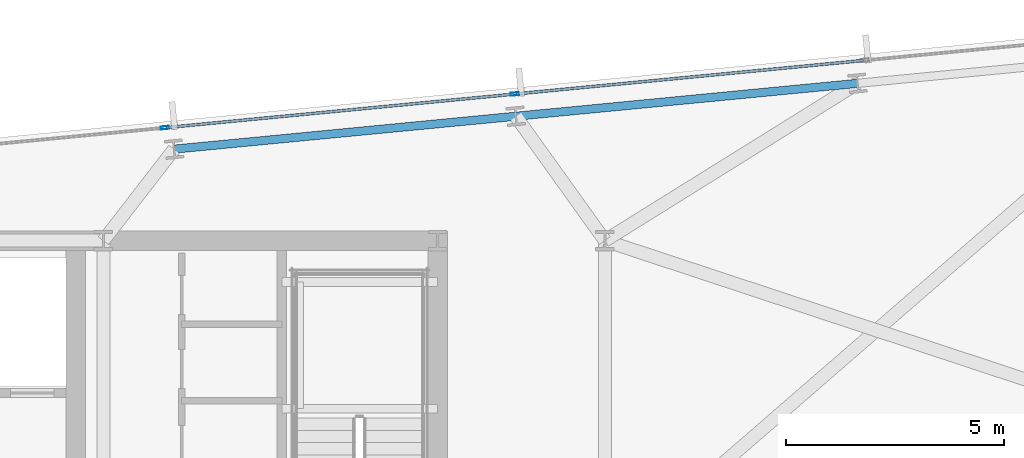
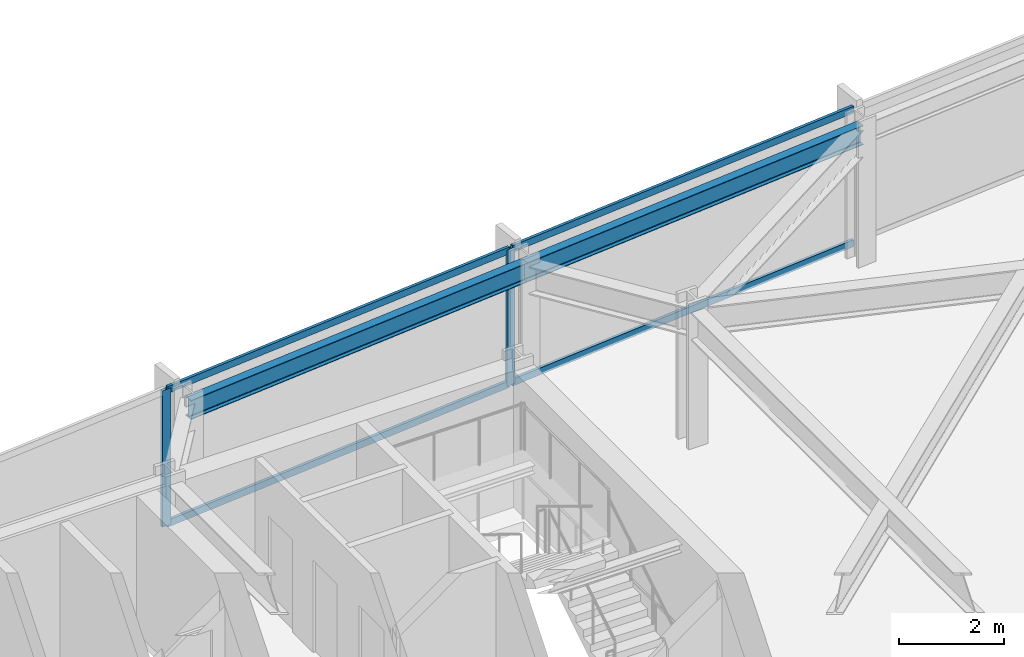
# One storey, part 21 of 33: 6 members, 2 beams, 1 element without a shape of its own.
"""IFC4 building model written with IfcOpenShell, lengths in metres."""

from ifc_helpers import new_model, si_unit, direction, frame, origin, origin_2d, place, context, subcontext, project, spatial, hollow_rectangle, i_section, extrude, material, material_profile, profile_set, type_object, element, aggregate, save


model = new_model("IFC4")

# Units and contexts
model_context = context("Model", 3, precision=1e-05, world=origin(), true_north=direction((0.0, 1.0)))
body_context = subcontext(model_context, "Body", "Model", "MODEL_VIEW")
ifc_project = project(units=[si_unit("LENGTHUNIT", "METRE"), si_unit("AREAUNIT", "SQUARE_METRE"), si_unit("VOLUMEUNIT", "CUBIC_METRE"), si_unit("PLANEANGLEUNIT", "RADIAN"), si_unit("MASSUNIT", "GRAM", prefix="KILO")], contexts=[model_context])

# Site, building, storey
site_placement = place(None, origin())
site = spatial("IfcSite", under=ifc_project, at=site_placement, CompositionType="ELEMENT")
building_placement = place(site_placement, origin())
building = spatial("IfcBuilding", under=site, at=building_placement, Name="Yelkora Congress Tower", CompositionType="ELEMENT")
storey_placement = place(building_placement, frame((0.0, 0.0, 123.699951171875)))
storey = spatial("IfcBuildingStorey", under=building, at=storey_placement, Name="L33", CompositionType="ELEMENT", Elevation=123.699951171875)

# Beams
ifc_material_1 = material(Name="Steel S355J2", Category="steel")
ifc_material_profile_1 = material_profile(ifc_material_1, i_section(OverallWidth=0.18994140625, OverallDepth=0.449951171875, WebThickness=0.009521484375, FlangeThickness=0.0146484375, FilletRadius=0.02099609375, at=origin_2d()), Name="IPE 450")
ifc_profile_set_1 = profile_set([ifc_material_profile_1], Name="Steel S355J2")
beam_type = type_object("IfcBeamType", Name="BM-SPAN-IPE450", PredefinedType="SPANDREL", material=ifc_profile_set_1)
for number, where, z_axis, x_axis, name in (
    (1, (63.4033203125, 49.81201171875, 2.955078125), (-0.995398529126, -0.09582154358, 0.0), (0.09582154358, -0.995398529126, 0.0), "L33 Perimeter Beam 15"),
    (2, (55.553955078125, 49.056396484375, 2.955078125), (-0.995395575667, -0.095852219286, 0.0), (0.095852219286, -0.995395575667, 0.0), "L33 Perimeter Beam 16"),
):
    element("IfcBeam", number, at=place(storey_placement, frame(where, z_axis=z_axis, x_axis=x_axis)), inside=storey, type_object=beam_type, Name=name, PredefinedType="SPANDREL", context=body_context, shape_type="SweptSolid", body=[
        extrude(i_section(OverallWidth=0.18994140625, OverallDepth=0.449951171875, WebThickness=0.009521484375, FlangeThickness=0.0146484375, FilletRadius=0.02099609375, at=origin_2d()), origin(), (0.0, 0.0, 1.0), 7.8857421875),
    ])

# Curtain wall, members
ifc_material_2 = material(Name="Anodised aluminium and insulated glass", Category="aluminium")
curtain_wall_type = type_object("IfcCurtainWallType", Name="CW-SYS-B2", PredefinedType="NOTDEFINED", material=ifc_material_2)
curtain_wall_placement = place(storey_placement, origin())
curtain_wall = element("IfcCurtainWall", 3, at=curtain_wall_placement, inside=storey, type_object=curtain_wall_type, Name="L33 Unitised Curtain Wall 10 (3)", PredefinedType="NOTDEFINED")
ifc_material_3 = material(Name="Anodised aluminium 6063-T6", Category="aluminium")
ifc_material_profile_2 = material_profile(ifc_material_3, hollow_rectangle(XDim=0.070068359375, YDim=0.18994140625, WallThickness=0.00390625, at=origin_2d()), Name="ALU 70x190x4")
ifc_profile_set_2 = profile_set([ifc_material_profile_2], Name="Anodised aluminium 6063-T6")
member_type_1 = type_object("IfcMemberType", Name="MEM-ML-B2", PredefinedType="MULLION", material=ifc_profile_set_2)
member_1_placement = place(storey_placement, frame((47.491943359375, 48.79248046875, 0.0), z_axis=(0.0, 0.0, 1.0), x_axis=(-0.095844238468, 0.995396344153, 0.0)))
member_1 = element("IfcMember", 4, at=member_1_placement, type_object=member_type_1, Name="CW-B2 mullion 4", PredefinedType="MULLION", context=body_context, shape_type="SweptSolid", body=[
    extrude(hollow_rectangle(XDim=0.070068359375, YDim=0.18994140625, WallThickness=0.00390625, at=origin_2d()), origin(), (0.0, 0.0, 1.0), 3.179931640625),
])
member_2_placement = place(storey_placement, frame((55.531982421875, 49.566650390625, 0.0), z_axis=(0.0, 0.0, 1.0), x_axis=(-0.095844238468, 0.995396344153, 0.0)))
member_2 = element("IfcMember", 5, at=member_2_placement, type_object=member_type_1, Name="CW-B2 mullion 5", PredefinedType="MULLION", context=body_context, shape_type="SweptSolid", body=[
    extrude(hollow_rectangle(XDim=0.070068359375, YDim=0.18994140625, WallThickness=0.00390625, at=origin_2d()), origin(), (0.0, 0.0, 1.0), 3.179931640625),
])
ifc_material_profile_3 = material_profile(ifc_material_3, hollow_rectangle(XDim=0.06494140625, YDim=0.159912109375, WallThickness=0.00390625, at=origin_2d()), Name="ALU 65x160x4")
ifc_profile_set_3 = profile_set([ifc_material_profile_3], Name="Anodised aluminium 6063-T6")
member_type_2 = type_object("IfcMemberType", Name="MEM-TR-B2", PredefinedType="USERDEFINED", material=ifc_profile_set_3)
member_3_placement = place(storey_placement, frame((47.52685546875, 48.7958984375, 0.032470703125), z_axis=(0.995397513894, 0.095832089266, 0.0), x_axis=(-0.095832089266, 0.995397513894, 0.0)))
member_3 = element("IfcMember", 6, at=member_3_placement, type_object=member_type_2, Name="CW-B2 transom 4.1", ObjectType="TRANSOM", PredefinedType="USERDEFINED", context=body_context, shape_type="SweptSolid", body=[
    extrude(hollow_rectangle(XDim=0.06494140625, YDim=0.159912109375, WallThickness=0.00390625, at=origin_2d()), origin(), (0.0, 0.0, 1.0), 8.007080078125),
])
member_4_placement = place(storey_placement, frame((47.52685546875, 48.7958984375, 3.1474609375), z_axis=(0.995397513894, 0.095832089266, 0.0), x_axis=(-0.095832089266, 0.995397513894, 0.0)))
member_4 = element("IfcMember", 7, at=member_4_placement, type_object=member_type_2, Name="CW-B2 transom 4.2", ObjectType="TRANSOM", PredefinedType="USERDEFINED", context=body_context, shape_type="SweptSolid", body=[
    extrude(hollow_rectangle(XDim=0.06494140625, YDim=0.159912109375, WallThickness=0.00390625, at=origin_2d()), origin(), (0.0, 0.0, 1.0), 8.007080078125),
])
member_5_placement = place(storey_placement, frame((55.566650390625, 49.570068359375, 0.032470703125), z_axis=(0.995397793901, 0.09582918082, 0.0), x_axis=(-0.09582918082, 0.995397793901, 0.0)))
member_5 = element("IfcMember", 8, at=member_5_placement, type_object=member_type_2, Name="CW-B2 transom 5.1", ObjectType="TRANSOM", PredefinedType="USERDEFINED", context=body_context, shape_type="SweptSolid", body=[
    extrude(hollow_rectangle(XDim=0.06494140625, YDim=0.159912109375, WallThickness=0.00390625, at=origin_2d()), origin(), (0.0, 0.0, 1.0), 8.00732421875),
])
member_6_placement = place(storey_placement, frame((55.566650390625, 49.570068359375, 3.1474609375), z_axis=(0.995397793901, 0.09582918082, 0.0), x_axis=(-0.09582918082, 0.995397793901, 0.0)))
member_6 = element("IfcMember", 9, at=member_6_placement, type_object=member_type_2, Name="CW-B2 transom 5.2", ObjectType="TRANSOM", PredefinedType="USERDEFINED", context=body_context, shape_type="SweptSolid", body=[
    extrude(hollow_rectangle(XDim=0.06494140625, YDim=0.159912109375, WallThickness=0.00390625, at=origin_2d()), origin(), (0.0, 0.0, 1.0), 8.00732421875),
])
aggregate(curtain_wall, [member_1, member_2, member_3, member_4, member_5, member_6])

save(model, "model.ifc")
